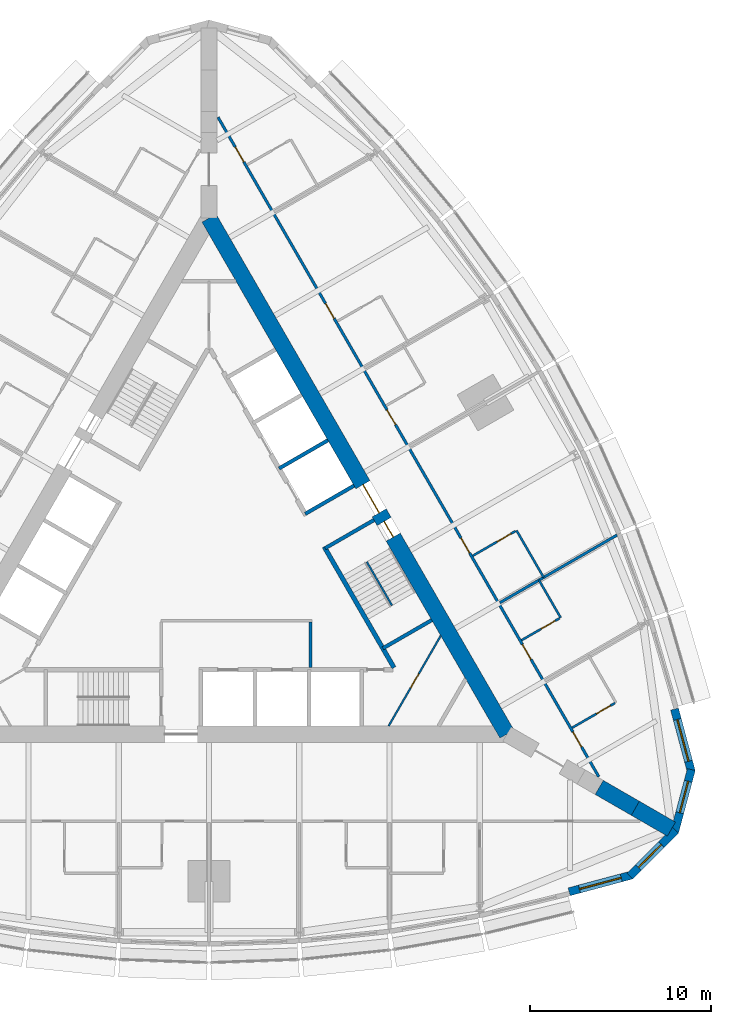
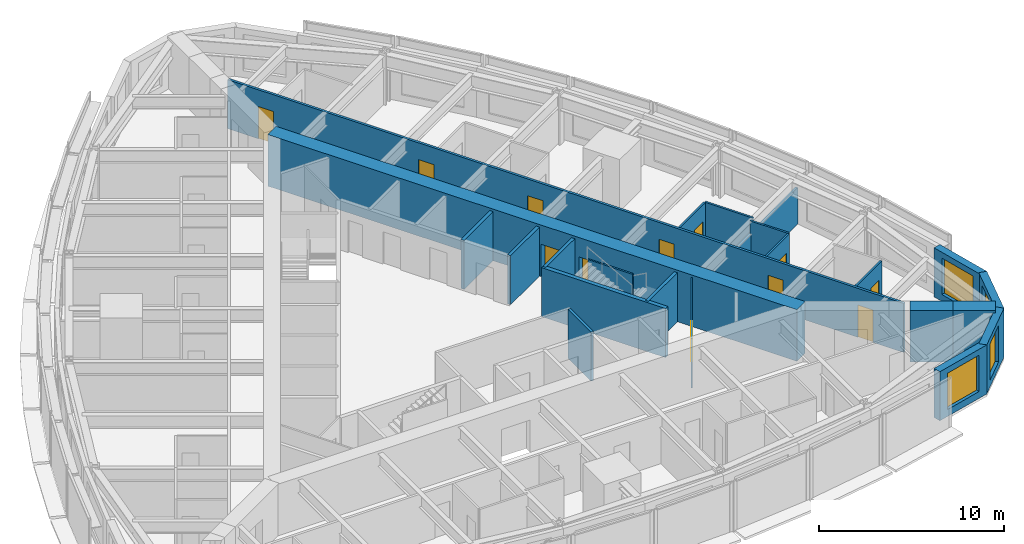
# One storey, part 11 of 14: 22 walls, 12 doors, 4 windows, 16 openings.
"""IFC4 building model written with IfcOpenShell, lengths in metres."""

from ifc_helpers import new_model, si_unit, direction, frame, frame_2d, origin, place, context, subcontext, project, spatial, polyline, rectangle, outline, extrude, material, layer, layer_set, type_object, element, fill, save


model = new_model("IFC4")

# Units and contexts
model_context = context("Model", 3, precision=1e-05, world=origin(), true_north=direction((0.0, 1.0)))
body_context = subcontext(model_context, "Body", "Model", "MODEL_VIEW")
ifc_project = project(units=[si_unit("LENGTHUNIT", "METRE"), si_unit("AREAUNIT", "SQUARE_METRE"), si_unit("VOLUMEUNIT", "CUBIC_METRE"), si_unit("PLANEANGLEUNIT", "RADIAN"), si_unit("MASSUNIT", "GRAM", prefix="KILO")], contexts=[model_context])

# Site, building, storey
site_placement = place(None, origin())
site = spatial("IfcSite", under=ifc_project, at=site_placement, CompositionType="ELEMENT")
building_placement = place(site_placement, origin())
building = spatial("IfcBuilding", under=site, at=building_placement, Name="Trikona Tower", CompositionType="ELEMENT")
storey_placement = place(building_placement, frame((0.0, 0.0, 131.699951171875)))
storey = spatial("IfcBuildingStorey", under=building, at=storey_placement, Name="L34", CompositionType="ELEMENT", Elevation=131.699951171875)

# Wall, opening, door
ifc_material_1 = material(Name="Metal stud and cement board", Category="gypsum")
ifc_layer_1 = layer(ifc_material_1, 0.1201171875)
ifc_layer_set_1 = layer_set([ifc_layer_1], Name="Bathroom wall 120")
wall_type_1 = type_object("IfcWallType", Name="Bathroom wall 120", PredefinedType="PLUMBINGWALL", material=ifc_layer_set_1)
wall_1_placement = place(storey_placement, frame((20.10791015625, -9.17529296875, 0.0), z_axis=(0.0, 0.0, 1.0), x_axis=(0.866035715982, 0.499982138324, 0.0)))
wall_1 = element("IfcWall", 1, at=wall_1_placement, inside=storey, type_object=wall_type_1, Name="Bathroom wall 3406", PredefinedType="PLUMBINGWALL", context=body_context, shape_type="SweptSolid", body=[
    extrude(rectangle(XDim=2.73974609375, YDim=0.1201171875, at=frame_2d((1.369873046875, 0.0))), origin(), (0.0, 0.0, 1.0), 3.235107421875),
])
opening_1_placement = place(wall_1_placement, frame((1.550048828125, 0.0, 0.0)))
opening_1 = element("IfcOpeningElement", 2, at=opening_1_placement, cuts=wall_1, Name="Opening D2", PredefinedType="OPENING", context=body_context, shape_type="SweptSolid", body=[
    extrude(rectangle(XDim=0.89990234375, YDim=2.1298828125, at=frame_2d((0.449951171875, 1.06494140625))), frame((0.0, 0.070068359375, 0.0), z_axis=(0.0, -1.0, 0.0), x_axis=(1.0, 0.0, 0.0)), (0.0, 0.0, 1.0), 0.14013671875),
])
ifc_material_2 = material(Name="Steel door frame with solid-core timber leaf", Category="steel")
door_type_1 = type_object("IfcDoorType", Name="Bathroom door 900x2130", OperationType="SLIDING_TO_LEFT", PredefinedType="DOOR", material=ifc_material_2)
door_1_placement = place(opening_1_placement, origin())
door_1 = element("IfcDoor", 3, at=door_1_placement, inside=storey, type_object=door_type_1, Name="Bathroom door 3406", OperationType="SLIDING_TO_LEFT", OverallHeight=2.1298828125, OverallWidth=0.89990234375, PredefinedType="DOOR", context=body_context, shape_type="SweptSolid", body=[
    extrude(rectangle(XDim=0.89990234375, YDim=2.1298828125, at=frame_2d((0.449951171875, 1.06494140625))), frame((0.0, 0.02490234375, 0.0), z_axis=(0.0, -1.0, 0.0), x_axis=(1.0, 0.0, 0.0)), (0.0, 0.0, 1.0), 0.050048828125),
])
fill(opening_1, door_1)

# Wall
wall_2_placement = place(storey_placement, frame((19.472900390625, -3.07568359375, 0.0), z_axis=(0.0, 0.0, 1.0), x_axis=(-0.499957262057, 0.866050077142, 0.0)))
element("IfcWall", 4, at=wall_2_placement, inside=storey, type_object=wall_type_1, Name="Bathroom wall 3407", PredefinedType="PLUMBINGWALL", context=body_context, shape_type="SweptSolid", body=[
    extrude(rectangle(XDim=2.400146484375, YDim=0.1201171875, at=frame_2d((1.2001953125, 0.0))), origin(), (0.0, 0.0, 1.0), 3.235107421875),
])

# Wall, opening, door
wall_3_placement = place(storey_placement, frame((17.307861328125, -4.32568359375, 0.0), z_axis=(0.0, 0.0, 1.0), x_axis=(0.866023955769, 0.500002508028, 0.0)))
wall_3 = element("IfcWall", 5, at=wall_3_placement, inside=storey, type_object=wall_type_1, Name="Bathroom wall 3407", PredefinedType="PLUMBINGWALL", context=body_context, shape_type="SweptSolid", body=[
    extrude(rectangle(XDim=2.43994140625, YDim=0.1201171875, at=frame_2d((1.219970703125, 0.0))), origin(), (0.0, 0.0, 1.0), 3.235107421875),
])
opening_2_placement = place(wall_3_placement, frame((1.25, 0.0, 0.0)))
opening_2 = element("IfcOpeningElement", 6, at=opening_2_placement, cuts=wall_3, Name="Opening D2", PredefinedType="OPENING", context=body_context, shape_type="SweptSolid", body=[
    extrude(rectangle(XDim=0.89990234375, YDim=2.1298828125, at=frame_2d((0.449951171875, 1.06494140625))), frame((0.0, 0.070068359375, 0.0), z_axis=(0.0, -1.0, 0.0), x_axis=(1.0, 0.0, 0.0)), (0.0, 0.0, 1.0), 0.14013671875),
])
door_2_placement = place(opening_2_placement, origin())
door_2 = element("IfcDoor", 7, at=door_2_placement, inside=storey, type_object=door_type_1, Name="Bathroom door 3407", OperationType="SLIDING_TO_LEFT", OverallHeight=2.1298828125, OverallWidth=0.89990234375, PredefinedType="DOOR", context=body_context, shape_type="SweptSolid", body=[
    extrude(rectangle(XDim=0.89990234375, YDim=2.1298828125, at=frame_2d((0.449951171875, 1.06494140625))), frame((0.0, 0.02490234375, 0.0), z_axis=(0.0, -1.0, 0.0), x_axis=(1.0, 0.0, 0.0)), (0.0, 0.0, 1.0), 0.050048828125),
])
fill(opening_2, door_2)

# Wall
wall_4_placement = place(storey_placement, frame((18.53271484375, -0.84716796875, 0.0), z_axis=(0.0, 0.0, 1.0), x_axis=(-0.499990139034, 0.866031096941, 0.0)))
element("IfcWall", 8, at=wall_4_placement, inside=storey, type_object=wall_type_1, Name="Bathroom wall 3408", PredefinedType="PLUMBINGWALL", context=body_context, shape_type="SweptSolid", body=[
    extrude(rectangle(XDim=3.0, YDim=0.1201171875, at=frame_2d((1.5, 0.0))), origin(), (0.0, 0.0, 1.0), 3.235107421875),
])

# Wall, opening, door
wall_5_placement = place(storey_placement, frame((14.60791015625, 0.35107421875, 0.0), z_axis=(0.0, 0.0, 1.0), x_axis=(0.866035715982, 0.499982138324, 0.0)))
wall_5 = element("IfcWall", 9, at=wall_5_placement, inside=storey, type_object=wall_type_1, Name="Bathroom wall 3408", PredefinedType="PLUMBINGWALL", context=body_context, shape_type="SweptSolid", body=[
    extrude(rectangle(XDim=2.73974609375, YDim=0.1201171875, at=frame_2d((1.369873046875, 0.0))), origin(), (0.0, 0.0, 1.0), 3.235107421875),
])
opening_3_placement = place(wall_5_placement, frame((1.550048828125, 0.0, 0.0)))
opening_3 = element("IfcOpeningElement", 10, at=opening_3_placement, cuts=wall_5, Name="Opening D2", PredefinedType="OPENING", context=body_context, shape_type="SweptSolid", body=[
    extrude(rectangle(XDim=0.89990234375, YDim=2.1298828125, at=frame_2d((0.449951171875, 1.06494140625))), frame((0.0, 0.070068359375, 0.0), z_axis=(0.0, -1.0, 0.0), x_axis=(1.0, 0.0, 0.0)), (0.0, 0.0, 1.0), 0.14013671875),
])
door_3_placement = place(opening_3_placement, origin())
door_3 = element("IfcDoor", 11, at=door_3_placement, inside=storey, type_object=door_type_1, Name="Bathroom door 3408", OperationType="SLIDING_TO_LEFT", OverallHeight=2.1298828125, OverallWidth=0.89990234375, PredefinedType="DOOR", context=body_context, shape_type="SweptSolid", body=[
    extrude(rectangle(XDim=0.89990234375, YDim=2.1298828125, at=frame_2d((0.449951171875, 1.06494140625))), frame((0.0, 0.02490234375, 0.0), z_axis=(0.0, -1.0, 0.0), x_axis=(1.0, 0.0, 0.0)), (0.0, 0.0, 1.0), 0.050048828125),
])
fill(opening_3, door_3)

# Wall, opening, window
ifc_material_3 = material(Name="Brick-faced precast concrete", Category="masonry")
ifc_layer_2 = layer(ifc_material_3, 0.449951171875)
ifc_layer_set_2 = layer_set([ifc_layer_2], Name="Brick-faced corner wall 450")
wall_type_2 = type_object("IfcWallType", Name="Brick-faced corner wall 450", PredefinedType="SOLIDWALL", material=ifc_layer_set_2)
wall_6_placement = place(storey_placement, frame((19.94189453125, -18.2578125, 0.0), z_axis=(0.0, 0.0, 1.0), x_axis=(0.965924653531, 0.258823421857, 0.0)))
wall_6 = element("IfcWall", 12, at=wall_6_placement, inside=storey, type_object=wall_type_2, Name="External wall L34-08", PredefinedType="SOLIDWALL", context=body_context, shape_type="SweptSolid", body=[
    extrude(rectangle(XDim=3.58642578125, YDim=0.449951171875, at=frame_2d((1.793212890625, 0.0))), origin(), (0.0, 0.0, 1.0), 3.235107421875),
])
opening_4_placement = place(wall_6_placement, frame((0.593017578125, 0.0, 0.449951171875)))
opening_4 = element("IfcOpeningElement", 13, at=opening_4_placement, cuts=wall_6, Name="Opening W2424", PredefinedType="OPENING", context=body_context, shape_type="SweptSolid", body=[
    extrude(rectangle(XDim=2.39990234375, YDim=2.39990234375, at=frame_2d((1.199951171875, 1.199951171875))), frame((0.0, 0.23486328125, 0.0), z_axis=(0.0, -1.0, 0.0), x_axis=(1.0, 0.0, 0.0)), (0.0, 0.0, 1.0), 0.469970703125),
])
ifc_material_4 = material(Name="Aluminium-framed double glazing", Category="aluminium")
window_type_1 = type_object("IfcWindowType", Name="Window 2400x2400", PartitioningType="SINGLE_PANEL", PredefinedType="WINDOW", material=ifc_material_4)
window_1_placement = place(opening_4_placement, origin())
window_1 = element("IfcWindow", 14, at=window_1_placement, inside=storey, type_object=window_type_1, Name="Window 3405", OverallHeight=2.39990234375, OverallWidth=2.39990234375, PartitioningType="SINGLE_PANEL", PredefinedType="WINDOW", context=body_context, shape_type="SweptSolid", body=[
    extrude(rectangle(XDim=2.39990234375, YDim=2.39990234375, at=frame_2d((1.199951171875, 1.199951171875))), frame((0.0, 0.030029296875, 0.0), z_axis=(0.0, -1.0, 0.0), x_axis=(1.0, 0.0, 0.0)), (0.0, 0.0, 1.0), 0.06005859375),
])
fill(opening_4, window_1)

wall_7_placement = place(storey_placement, frame((23.304931640625, -17.387939453125, 0.0), z_axis=(0.0, 0.0, 1.0), x_axis=(0.707106781187, 0.707106781187, 0.0)))
wall_7 = element("IfcWall", 15, at=wall_7_placement, inside=storey, type_object=wall_type_2, Name="External wall L34-09", PredefinedType="SOLIDWALL", context=body_context, shape_type="SweptSolid", body=[
    extrude(outline(polyline([(3.586181640625, 0.22509765625), (3.527099609375, 0.22509765625), (3.03515625, 0.09326171875), (3.0, 0.22509765625), (0.0, 0.22509765625), (0.0, -0.22509765625), (3.586181640625, -0.22509765625), (3.586181640625, 0.22509765625)])), origin(), (0.0, 0.0, 1.0), 3.235107421875),
])
opening_5_placement = place(wall_7_placement, frame((0.6748046875, 0.0, 0.449951171875)))
opening_5 = element("IfcOpeningElement", 16, at=opening_5_placement, cuts=wall_7, Name="Opening W1824", PredefinedType="OPENING", context=body_context, shape_type="SweptSolid", body=[
    extrude(rectangle(XDim=1.800048828125, YDim=2.39990234375, at=frame_2d((0.89990234375, 1.199951171875))), frame((0.0, 0.23486328125, 0.0), z_axis=(0.0, -1.0, 0.0), x_axis=(1.0, 0.0, 0.0)), (0.0, 0.0, 1.0), 0.469970703125),
])
ifc_material_5 = material(Name="Aluminium-framed double glazing", Category="aluminium")
window_type_2 = type_object("IfcWindowType", Name="Window 1800x2400", PartitioningType="SINGLE_PANEL", PredefinedType="WINDOW", material=ifc_material_5)
window_2_placement = place(opening_5_placement, origin())
window_2 = element("IfcWindow", 17, at=window_2_placement, inside=storey, type_object=window_type_2, Name="Window 3405", OverallHeight=2.39990234375, OverallWidth=1.800048828125, PartitioningType="SINGLE_PANEL", PredefinedType="WINDOW", context=body_context, shape_type="SweptSolid", body=[
    extrude(rectangle(XDim=1.800048828125, YDim=2.39990234375, at=frame_2d((0.89990234375, 1.199951171875))), frame((0.0, 0.030029296875, 0.0), z_axis=(0.0, -1.0, 0.0), x_axis=(1.0, 0.0, 0.0)), (0.0, 0.0, 1.0), 0.06005859375),
])
fill(opening_5, window_2)

wall_8_placement = place(storey_placement, frame((25.78271484375, -14.952880859375, 0.0), z_axis=(0.0, 0.0, 1.0), x_axis=(0.258823421857, 0.965924653531, 0.0)))
wall_8 = element("IfcWall", 18, at=wall_8_placement, inside=storey, type_object=wall_type_2, Name="External wall L34-10", PredefinedType="SOLIDWALL", context=body_context, shape_type="SweptSolid", body=[
    extrude(outline(polyline([(3.58642578125, 0.22509765625), (0.58642578125, 0.22509765625), (0.551025390625, 0.09326171875), (0.0595703125, 0.22509765625), (0.0, 0.22509765625), (0.0, -0.22509765625), (3.58642578125, -0.22509765625), (3.58642578125, 0.22509765625)])), origin(), (0.0, 0.0, 1.0), 3.235107421875),
])
opening_6_placement = place(wall_8_placement, frame((1.111328125, 0.0, 0.449951171875)))
opening_6 = element("IfcOpeningElement", 19, at=opening_6_placement, cuts=wall_8, Name="Opening W1824", PredefinedType="OPENING", context=body_context, shape_type="SweptSolid", body=[
    extrude(rectangle(XDim=1.800048828125, YDim=2.39990234375, at=frame_2d((0.89990234375, 1.199951171875))), frame((0.0, 0.23486328125, 0.0), z_axis=(0.0, -1.0, 0.0), x_axis=(1.0, 0.0, 0.0)), (0.0, 0.0, 1.0), 0.469970703125),
])
window_3_placement = place(opening_6_placement, origin())
window_3 = element("IfcWindow", 20, at=window_3_placement, inside=storey, type_object=window_type_2, Name="Window 3406", OverallHeight=2.39990234375, OverallWidth=1.800048828125, PartitioningType="SINGLE_PANEL", PredefinedType="WINDOW", context=body_context, shape_type="SweptSolid", body=[
    extrude(rectangle(XDim=1.800048828125, YDim=2.39990234375, at=frame_2d((0.89990234375, 1.199951171875))), frame((0.0, 0.030029296875, 0.0), z_axis=(0.0, -1.0, 0.0), x_axis=(1.0, 0.0, 0.0)), (0.0, 0.0, 1.0), 0.06005859375),
])
fill(opening_6, window_3)

wall_9_placement = place(storey_placement, frame((26.7109375, -11.605224609375, 0.0), z_axis=(0.0, 0.0, 1.0), x_axis=(-0.258823421857, 0.965924653531, 0.0)))
wall_9 = element("IfcWall", 21, at=wall_9_placement, inside=storey, type_object=wall_type_2, Name="External wall L34-11", PredefinedType="SOLIDWALL", context=body_context, shape_type="SweptSolid", body=[
    extrude(rectangle(XDim=3.58642578125, YDim=0.449951171875, at=frame_2d((1.793212890625, 0.0))), origin(), (0.0, 0.0, 1.0), 3.235107421875),
])
opening_7_placement = place(wall_9_placement, frame((0.593017578125, 0.0, 0.449951171875)))
opening_7 = element("IfcOpeningElement", 22, at=opening_7_placement, cuts=wall_9, Name="Opening W2424", PredefinedType="OPENING", context=body_context, shape_type="SweptSolid", body=[
    extrude(rectangle(XDim=2.39990234375, YDim=2.39990234375, at=frame_2d((1.199951171875, 1.199951171875))), frame((0.0, 0.23486328125, 0.0), z_axis=(0.0, -1.0, 0.0), x_axis=(1.0, 0.0, 0.0)), (0.0, 0.0, 1.0), 0.469970703125),
])
window_4_placement = place(opening_7_placement, origin())
window_4 = element("IfcWindow", 23, at=window_4_placement, inside=storey, type_object=window_type_1, Name="Window 3406", OverallHeight=2.39990234375, OverallWidth=2.39990234375, PartitioningType="SINGLE_PANEL", PredefinedType="WINDOW", context=body_context, shape_type="SweptSolid", body=[
    extrude(rectangle(XDim=2.39990234375, YDim=2.39990234375, at=frame_2d((1.199951171875, 1.199951171875))), frame((0.0, 0.030029296875, 0.0), z_axis=(0.0, -1.0, 0.0), x_axis=(1.0, 0.0, 0.0)), (0.0, 0.0, 1.0), 0.06005859375),
])
fill(opening_7, window_4)

# Walls
ifc_material_6 = material(Name="Concrete f'c 10000 psi", Category="concrete")
ifc_layer_3 = layer(ifc_material_6, 0.89990234375)
ifc_layer_set_3 = layer_set([ifc_layer_3], Name="Buttress wall 900")
wall_type_3 = type_object("IfcWallType", Name="Buttress wall 900", PredefinedType="SHEAR", material=ifc_layer_set_3)
for number, where, z_axis, x_axis, name in (
    (24, (21.6103515625, -12.476806640625, 0.0), (0.0, 0.0, 1.0), (0.866055313784, -0.499948190782, 0.0), "Buttress wall 1 part 3"),
    (25, (23.6103515625, -13.63134765625, 0.0), (0.0, 0.0, 1.0), (0.866009537788, -0.500027479704, 0.0), "Buttress wall 1 part 4"),
):
    element("IfcWall", number, at=place(storey_placement, frame(where, z_axis=z_axis, x_axis=x_axis)), inside=storey, type_object=wall_type_3, Name=name, PredefinedType="SHEAR", context=body_context, shape_type="SweptSolid", body=[
        extrude(rectangle(XDim=2.309326171875, YDim=0.89990234375, at=frame_2d((1.15478515625, 0.0))), origin(), (0.0, 0.0, 1.0), 3.400146484375),
    ])

# Wall, openings, doors
ifc_material_7 = material(Name="Concrete f'c 10000 psi", Category="concrete")
ifc_layer_4 = layer(ifc_material_7, 0.89990234375)
ifc_layer_set_4 = layer_set([ifc_layer_4], Name="Core wall 900")
wall_type_4 = type_object("IfcWallType", Name="Core wall 900", PredefinedType="SHEAR", material=ifc_layer_set_4)
wall_10_placement = place(storey_placement, frame((16.5, -9.5263671875, 0.0), z_axis=(0.0, 0.0, 1.0), x_axis=(-0.499999749417, 0.866025548458, 0.0)))
wall_10 = element("IfcWall", 26, at=wall_10_placement, inside=storey, type_object=wall_type_4, Name="Core wall B", PredefinedType="SHEAR", context=body_context, shape_type="SweptSolid", body=[
    extrude(rectangle(XDim=33.0, YDim=0.89990234375, at=frame_2d((16.5, 0.0))), origin(), (0.0, 0.0, 1.0), 3.400146484375),
])
opening_8_placement = place(wall_10_placement, frame((14.14990234375, 0.0, 0.0)))
opening_8 = element("IfcOpeningElement", 27, at=opening_8_placement, cuts=wall_10, Name="Opening D6", PredefinedType="OPENING", context=body_context, shape_type="SweptSolid", body=[
    extrude(rectangle(XDim=1.800048828125, YDim=2.1298828125, at=frame_2d((0.89990234375, 1.06494140625))), frame((0.0, 0.4599609375, 0.0), z_axis=(0.0, -1.0, 0.0), x_axis=(1.0, 0.0, 0.0)), (0.0, 0.0, 1.0), 0.919921875),
])
opening_9_placement = place(wall_10_placement, frame((12.60009765625, 0.0, 0.0)))
opening_9 = element("IfcOpeningElement", 28, at=opening_9_placement, cuts=wall_10, Name="Opening D5", PredefinedType="OPENING", context=body_context, shape_type="SweptSolid", body=[
    extrude(rectangle(XDim=1.0, YDim=2.1298828125, at=frame_2d((0.5, 1.06494140625))), frame((0.0, 0.4599609375, 0.0), z_axis=(0.0, -1.0, 0.0), x_axis=(1.0, 0.0, 0.0)), (0.0, 0.0, 1.0), 0.919921875),
])
ifc_material_8 = material(Name="Hollow metal door and frame", Category="steel")
door_type_2 = type_object("IfcDoorType", Name="Lobby door pair 1800x2130", OperationType="DOUBLE_DOOR_SINGLE_SWING", PredefinedType="DOOR", material=ifc_material_8)
door_4_placement = place(opening_8_placement, origin())
door_4 = element("IfcDoor", 29, at=door_4_placement, inside=storey, type_object=door_type_2, Name="Lift lobby door B", OperationType="DOUBLE_DOOR_SINGLE_SWING", OverallHeight=2.1298828125, OverallWidth=1.800048828125, PredefinedType="DOOR", context=body_context, shape_type="SweptSolid", body=[
    extrude(rectangle(XDim=1.800048828125, YDim=2.1298828125, at=frame_2d((0.89990234375, 1.06494140625))), frame((0.0, 0.02490234375, 0.0), z_axis=(0.0, -1.0, 0.0), x_axis=(1.0, 0.0, 0.0)), (0.0, 0.0, 1.0), 0.050048828125),
])
fill(opening_8, door_4)
ifc_material_9 = material(Name="Hollow metal door and frame", Category="steel")
door_type_3 = type_object("IfcDoorType", Name="Stair door 1000x2130", OperationType="SINGLE_SWING_LEFT", PredefinedType="DOOR", material=ifc_material_9)
door_5_placement = place(opening_9_placement, origin())
door_5 = element("IfcDoor", 30, at=door_5_placement, inside=storey, type_object=door_type_3, Name="Stair B door", OperationType="SINGLE_SWING_RIGHT", OverallHeight=2.1298828125, OverallWidth=1.0, PredefinedType="DOOR", context=body_context, shape_type="SweptSolid", body=[
    extrude(rectangle(XDim=1.0, YDim=2.1298828125, at=frame_2d((0.5, 1.06494140625))), frame((0.0, 0.02490234375, 0.0), z_axis=(0.0, -1.0, 0.0), x_axis=(1.0, 0.0, 0.0)), (0.0, 0.0, 1.0), 0.050048828125),
])
fill(opening_9, door_5)

ifc_material_10 = material(Name="Metal stud and gypsum board, 1-hour", Category="gypsum")
ifc_layer_5 = layer(ifc_material_10, 0.14990234375)
ifc_layer_set_5 = layer_set([ifc_layer_5], Name="Corridor wall 150")
wall_type_5 = type_object("IfcWallType", Name="Corridor wall 150", PredefinedType="PARTITIONING", material=ifc_layer_set_5)
wall_11_placement = place(storey_placement, frame((21.5859375, -11.88525390625, 0.0), z_axis=(0.0, 0.0, 1.0), x_axis=(-0.500001915564, 0.86602429783, 0.0)))
wall_11 = element("IfcWall", 31, at=wall_11_placement, inside=storey, type_object=wall_type_5, Name="Corridor wall L34-2", PredefinedType="PARTITIONING", context=body_context, shape_type="SweptSolid", body=[
    extrude(rectangle(XDim=42.171630859375, YDim=0.14990234375, at=frame_2d((21.0859375, 0.0))), origin(), (0.0, 0.0, 1.0), 3.235107421875),
])
opening_10_placement = place(wall_11_placement, frame((1.910888671875, 0.0, 0.0)))
opening_10 = element("IfcOpeningElement", 32, at=opening_10_placement, cuts=wall_11, Name="Opening D1", PredefinedType="OPENING", context=body_context, shape_type="SweptSolid", body=[
    extrude(rectangle(XDim=0.949951171875, YDim=2.1298828125, at=frame_2d((0.47509765625, 1.06494140625))), frame((0.0, 0.0849609375, 0.0), z_axis=(0.0, -1.0, 0.0), x_axis=(1.0, 0.0, 0.0)), (0.0, 0.0, 1.0), 0.169921875),
])
opening_11_placement = place(wall_11_placement, frame((7.510986328125, 0.0, 0.0)))
opening_11 = element("IfcOpeningElement", 33, at=opening_11_placement, cuts=wall_11, Name="Opening D1", PredefinedType="OPENING", context=body_context, shape_type="SweptSolid", body=[
    extrude(rectangle(XDim=0.949951171875, YDim=2.1298828125, at=frame_2d((0.47509765625, 1.06494140625))), frame((0.0, 0.0849609375, 0.0), z_axis=(0.0, -1.0, 0.0), x_axis=(1.0, 0.0, 0.0)), (0.0, 0.0, 1.0), 0.169921875),
])
opening_12_placement = place(wall_11_placement, frame((14.310791015625, 0.0, 0.0)))
opening_12 = element("IfcOpeningElement", 34, at=opening_12_placement, cuts=wall_11, Name="Opening D1", PredefinedType="OPENING", context=body_context, shape_type="SweptSolid", body=[
    extrude(rectangle(XDim=0.949951171875, YDim=2.1298828125, at=frame_2d((0.47509765625, 1.06494140625))), frame((0.0, 0.0849609375, 0.0), z_axis=(0.0, -1.0, 0.0), x_axis=(1.0, 0.0, 0.0)), (0.0, 0.0, 1.0), 0.169921875),
])
opening_13_placement = place(wall_11_placement, frame((22.510986328125, 0.0, 0.0)))
opening_13 = element("IfcOpeningElement", 35, at=opening_13_placement, cuts=wall_11, Name="Opening D1", PredefinedType="OPENING", context=body_context, shape_type="SweptSolid", body=[
    extrude(rectangle(XDim=0.949951171875, YDim=2.1298828125, at=frame_2d((0.47509765625, 1.06494140625))), frame((0.0, 0.0849609375, 0.0), z_axis=(0.0, -1.0, 0.0), x_axis=(1.0, 0.0, 0.0)), (0.0, 0.0, 1.0), 0.169921875),
])
opening_14_placement = place(wall_11_placement, frame((29.310791015625, 0.0, 0.0)))
opening_14 = element("IfcOpeningElement", 36, at=opening_14_placement, cuts=wall_11, Name="Opening D1", PredefinedType="OPENING", context=body_context, shape_type="SweptSolid", body=[
    extrude(rectangle(XDim=0.949951171875, YDim=2.1298828125, at=frame_2d((0.47509765625, 1.06494140625))), frame((0.0, 0.0849609375, 0.0), z_axis=(0.0, -1.0, 0.0), x_axis=(1.0, 0.0, 0.0)), (0.0, 0.0, 1.0), 0.169921875),
])
opening_15_placement = place(wall_11_placement, frame((39.310791015625, 0.0, 0.0)))
opening_15 = element("IfcOpeningElement", 37, at=opening_15_placement, cuts=wall_11, Name="Opening D1", PredefinedType="OPENING", context=body_context, shape_type="SweptSolid", body=[
    extrude(rectangle(XDim=0.949951171875, YDim=2.1298828125, at=frame_2d((0.47509765625, 1.06494140625))), frame((0.0, 0.0849609375, 0.0), z_axis=(0.0, -1.0, 0.0), x_axis=(1.0, 0.0, 0.0)), (0.0, 0.0, 1.0), 0.169921875),
])
ifc_material_11 = material(Name="Steel door frame with solid-core timber leaf", Category="steel")
door_type_4 = type_object("IfcDoorType", Name="Guest room door 950x2130", OperationType="SINGLE_SWING_LEFT", PredefinedType="DOOR", material=ifc_material_11)
door_6_placement = place(opening_10_placement, origin())
door_6 = element("IfcDoor", 38, at=door_6_placement, inside=storey, type_object=door_type_4, Name="Room door 3406", OperationType="SINGLE_SWING_LEFT", OverallHeight=2.1298828125, OverallWidth=0.949951171875, PredefinedType="DOOR", context=body_context, shape_type="SweptSolid", body=[
    extrude(rectangle(XDim=0.949951171875, YDim=2.1298828125, at=frame_2d((0.47509765625, 1.06494140625))), frame((0.0, 0.02490234375, 0.0), z_axis=(0.0, -1.0, 0.0), x_axis=(1.0, 0.0, 0.0)), (0.0, 0.0, 1.0), 0.050048828125),
])
fill(opening_10, door_6)
door_7_placement = place(opening_11_placement, origin())
door_7 = element("IfcDoor", 39, at=door_7_placement, inside=storey, type_object=door_type_4, Name="Room door 3407", OperationType="SINGLE_SWING_RIGHT", OverallHeight=2.1298828125, OverallWidth=0.949951171875, PredefinedType="DOOR", context=body_context, shape_type="SweptSolid", body=[
    extrude(rectangle(XDim=0.949951171875, YDim=2.1298828125, at=frame_2d((0.47509765625, 1.06494140625))), frame((0.0, 0.02490234375, 0.0), z_axis=(0.0, -1.0, 0.0), x_axis=(1.0, 0.0, 0.0)), (0.0, 0.0, 1.0), 0.050048828125),
])
fill(opening_11, door_7)
door_8_placement = place(opening_12_placement, origin())
door_8 = element("IfcDoor", 40, at=door_8_placement, inside=storey, type_object=door_type_4, Name="Room door 3408", OperationType="SINGLE_SWING_LEFT", OverallHeight=2.1298828125, OverallWidth=0.949951171875, PredefinedType="DOOR", context=body_context, shape_type="SweptSolid", body=[
    extrude(rectangle(XDim=0.949951171875, YDim=2.1298828125, at=frame_2d((0.47509765625, 1.06494140625))), frame((0.0, 0.02490234375, 0.0), z_axis=(0.0, -1.0, 0.0), x_axis=(1.0, 0.0, 0.0)), (0.0, 0.0, 1.0), 0.050048828125),
])
fill(opening_12, door_8)
door_9_placement = place(opening_13_placement, origin())
door_9 = element("IfcDoor", 41, at=door_9_placement, inside=storey, type_object=door_type_4, Name="Room door 3409", OperationType="SINGLE_SWING_RIGHT", OverallHeight=2.1298828125, OverallWidth=0.949951171875, PredefinedType="DOOR", context=body_context, shape_type="SweptSolid", body=[
    extrude(rectangle(XDim=0.949951171875, YDim=2.1298828125, at=frame_2d((0.47509765625, 1.06494140625))), frame((0.0, 0.02490234375, 0.0), z_axis=(0.0, -1.0, 0.0), x_axis=(1.0, 0.0, 0.0)), (0.0, 0.0, 1.0), 0.050048828125),
])
fill(opening_13, door_9)
door_10_placement = place(opening_14_placement, origin())
door_10 = element("IfcDoor", 42, at=door_10_placement, inside=storey, type_object=door_type_4, Name="Room door 3410", OperationType="SINGLE_SWING_LEFT", OverallHeight=2.1298828125, OverallWidth=0.949951171875, PredefinedType="DOOR", context=body_context, shape_type="SweptSolid", body=[
    extrude(rectangle(XDim=0.949951171875, YDim=2.1298828125, at=frame_2d((0.47509765625, 1.06494140625))), frame((0.0, 0.02490234375, 0.0), z_axis=(0.0, -1.0, 0.0), x_axis=(1.0, 0.0, 0.0)), (0.0, 0.0, 1.0), 0.050048828125),
])
fill(opening_14, door_10)
door_11_placement = place(opening_15_placement, origin())
door_11 = element("IfcDoor", 43, at=door_11_placement, inside=storey, type_object=door_type_4, Name="Room door 3411", OperationType="SINGLE_SWING_RIGHT", OverallHeight=2.1298828125, OverallWidth=0.949951171875, PredefinedType="DOOR", context=body_context, shape_type="SweptSolid", body=[
    extrude(rectangle(XDim=0.949951171875, YDim=2.1298828125, at=frame_2d((0.47509765625, 1.06494140625))), frame((0.0, 0.02490234375, 0.0), z_axis=(0.0, -1.0, 0.0), x_axis=(1.0, 0.0, 0.0)), (0.0, 0.0, 1.0), 0.050048828125),
])
fill(opening_15, door_11)

# Walls
ifc_material_12 = material(Name="Concrete f'c 8000 psi", Category="concrete")
ifc_layer_6 = layer(ifc_material_12, 0.25)
ifc_layer_set_6 = layer_set([ifc_layer_6], Name="Hub wall 250")
wall_type_6 = type_object("IfcWallType", Name="Hub wall 250", PredefinedType="SOLIDWALL", material=ifc_layer_set_6)
wall_12_placement = place(storey_placement, frame((10.245361328125, -5.843017578125, 0.0), z_axis=(0.0, 0.0, 1.0), x_axis=(-0.499993009313, 0.866029439822, 0.0)))
element("IfcWall", 44, at=wall_12_placement, inside=storey, type_object=wall_type_6, Name="Lift lobby wall B1", PredefinedType="SOLIDWALL", context=body_context, shape_type="SweptSolid", body=[
    extrude(rectangle(XDim=7.73291015625, YDim=0.25, at=frame_2d((3.866455078125, 0.0))), origin(), (0.0, 0.0, 1.0), 3.235107421875),
])
ifc_material_13 = material(Name="Metal stud and gypsum board, 2-hour shaft wall", Category="gypsum")
ifc_layer_7 = layer(ifc_material_13, 0.14990234375)
ifc_layer_set_7 = layer_set([ifc_layer_7], Name="Lobby wall 150")
wall_type_7 = type_object("IfcWallType", Name="Lobby wall 150", PredefinedType="PARTITIONING", material=ifc_layer_set_7)
wall_13_placement = place(storey_placement, frame((5.625, -5.826416015625, 0.0), z_axis=(0.0, 0.0, 1.0), x_axis=(0.0, 1.0, 0.0)))
element("IfcWall", 45, at=wall_13_placement, inside=storey, type_object=wall_type_7, Name="Fire service lift lobby wall 3", PredefinedType="PARTITIONING", context=body_context, shape_type="SweptSolid", body=[
    extrude(rectangle(XDim=2.5, YDim=0.14990234375, at=frame_2d((1.25, 0.0))), origin(), (0.0, 0.0, 1.0), 3.235107421875),
])
ifc_material_14 = material(Name="Metal stud and gypsum board, 1-hour acoustic", Category="gypsum")
ifc_layer_8 = layer(ifc_material_14, 0.14990234375)
ifc_layer_set_8 = layer_set([ifc_layer_8], Name="Party wall 150")
wall_type_8 = type_object("IfcWallType", Name="Party wall 150", PredefinedType="PARTITIONING", material=ifc_layer_set_8)
wall_14_placement = place(storey_placement, frame((16.10791015625, -2.2470703125, 0.0), z_axis=(0.0, 0.0, 1.0), x_axis=(0.866025567496, 0.499999716443, 0.0)))
element("IfcWall", 46, at=wall_14_placement, inside=storey, type_object=wall_type_8, Name="Partition L34 F2 u-10", PredefinedType="PARTITIONING", context=body_context, shape_type="SweptSolid", body=[
    extrude(rectangle(XDim=7.4951171875, YDim=0.14990234375, at=frame_2d((3.74755859375, 0.0))), origin(), (0.0, 0.0, 1.0), 2.38916015625),
])
ifc_material_15 = material(Name="Concrete f'c 8000 psi", Category="concrete")
ifc_layer_9 = layer(ifc_material_15, 0.199951171875)
ifc_layer_set_9 = layer_set([ifc_layer_9], Name="Shaft wall 200")
wall_type_9 = type_object("IfcWallType", Name="Shaft wall 200", PredefinedType="SOLIDWALL", material=ifc_layer_set_9)
for number, where, z_axis, x_axis, name in (
    (47, (5.3291015625, 2.672607421875, 0.0), (0.0, 0.0, 1.0), (0.866022959057, 0.500004234368, 0.0), "Shaft wall B3"),
    (48, (3.87890625, 5.18408203125, 0.0), (0.0, 0.0, 1.0), (0.866022959057, 0.500004234368, 0.0), "Shaft wall B4"),
):
    element("IfcWall", number, at=place(storey_placement, frame(where, z_axis=z_axis, x_axis=x_axis)), inside=storey, type_object=wall_type_9, Name=name, PredefinedType="SOLIDWALL", context=body_context, shape_type="SweptSolid", body=[
        extrude(rectangle(XDim=3.125, YDim=0.199951171875, at=frame_2d((1.5625, 0.0))), origin(), (0.0, 0.0, 1.0), 3.235107421875),
    ])
ifc_material_16 = material(Name="Concrete f'c 8000 psi", Category="concrete")
ifc_layer_10 = layer(ifc_material_16, 0.199951171875)
ifc_layer_set_10 = layer_set([ifc_layer_10], Name="Shaft wall 200 load-bearing")
wall_type_10 = type_object("IfcWallType", Name="Shaft wall 200 load-bearing", PredefinedType="SOLIDWALL", material=ifc_layer_set_10)
for number, where, z_axis, x_axis, name in (
    (49, (9.62890625, -4.775390625, 0.0), (0.0, 0.0, 1.0), (0.866022959057, 0.500004234368, 0.0), "Shaft wall B1"),
    (50, (6.428955078125, 0.767333984375, 0.0), (0.0, 0.0, 1.0), (0.866022959057, 0.500004234368, 0.0), "Shaft wall B2"),
):
    element("IfcWall", number, at=place(storey_placement, frame(where, z_axis=z_axis, x_axis=x_axis)), inside=storey, type_object=wall_type_10, Name=name, PredefinedType="SOLIDWALL", context=body_context, shape_type="SweptSolid", body=[
        extrude(rectangle(XDim=3.125, YDim=0.199951171875, at=frame_2d((1.5625, 0.0))), origin(), (0.0, 0.0, 1.0), 3.235107421875),
    ])
ifc_material_17 = material(Name="Concrete f'c 5000 psi", Category="concrete")
ifc_layer_11 = layer(ifc_material_17, 0.10009765625)
ifc_layer_set_11 = layer_set([ifc_layer_11], Name="Stair spine wall 100")
wall_type_11 = type_object("IfcWallType", Name="Stair spine wall 100", PredefinedType="SOLIDWALL", material=ifc_layer_set_11)
wall_15_placement = place(storey_placement, frame((10.134765625, -2.4013671875, 0.0), z_axis=(0.0, 0.0, 1.0), x_axis=(-0.499992232847, 0.866029888106, 0.0)))
element("IfcWall", 51, at=wall_15_placement, inside=storey, type_object=wall_type_11, Name="Stair B spine wall L34", PredefinedType="SOLIDWALL", context=body_context, shape_type="SweptSolid", body=[
    extrude(rectangle(XDim=2.7939453125, YDim=0.10009765625, at=frame_2d((1.39697265625, 0.0))), origin(), (0.0, 0.0, 1.0), 3.400146484375),
])

# Wall, opening, door
ifc_material_18 = material(Name="Metal stud and gypsum board, acoustic", Category="gypsum")
ifc_layer_12 = layer(ifc_material_18, 0.10009765625)
ifc_layer_set_12 = layer_set([ifc_layer_12], Name="Suite partition 100")
wall_type_12 = type_object("IfcWallType", Name="Suite partition 100", PredefinedType="PARTITIONING", material=ifc_layer_set_12)
wall_16_placement = place(storey_placement, frame((12.833984375, -4.076416015625, 0.0), z_axis=(0.0, 0.0, 1.0), x_axis=(-0.500027479704, -0.866009537788, 0.0)))
wall_16 = element("IfcWall", 52, at=wall_16_placement, inside=storey, type_object=wall_type_12, Name="Store partition L34-RS1", PredefinedType="PARTITIONING", context=body_context, shape_type="SweptSolid", body=[
    extrude(rectangle(XDim=5.773681640625, YDim=0.10009765625, at=frame_2d((2.88671875, 0.0))), origin(), (0.0, 0.0, 1.0), 3.235107421875),
])
opening_16_placement = place(wall_16_placement, frame((2.436767578125, 0.0, 0.0)))
opening_16 = element("IfcOpeningElement", 53, at=opening_16_placement, cuts=wall_16, Name="Opening D15", PredefinedType="OPENING", context=body_context, shape_type="SweptSolid", body=[
    extrude(rectangle(XDim=0.89990234375, YDim=2.1298828125, at=frame_2d((0.449951171875, 1.06494140625))), frame((0.0, 0.06005859375, 0.0), z_axis=(0.0, -1.0, 0.0), x_axis=(1.0, 0.0, 0.0)), (0.0, 0.0, 1.0), 0.1201171875),
])
ifc_material_19 = material(Name="Steel door frame with solid-core timber leaf", Category="steel")
door_type_5 = type_object("IfcDoorType", Name="Store door 900x2130", OperationType="SINGLE_SWING_LEFT", PredefinedType="DOOR", material=ifc_material_19)
door_12_placement = place(opening_16_placement, origin())
door_12 = element("IfcDoor", 54, at=door_12_placement, inside=storey, type_object=door_type_5, Name="Door Storage STO", OperationType="SINGLE_SWING_RIGHT", OverallHeight=2.1298828125, OverallWidth=0.89990234375, PredefinedType="DOOR", context=body_context, shape_type="SweptSolid", body=[
    extrude(rectangle(XDim=0.89990234375, YDim=2.1298828125, at=frame_2d((0.449951171875, 1.06494140625))), frame((0.0, 0.02490234375, 0.0), z_axis=(0.0, -1.0, 0.0), x_axis=(1.0, 0.0, 0.0)), (0.0, 0.0, 1.0), 0.050048828125),
])
fill(opening_16, door_12)

save(model, "model.ifc")
